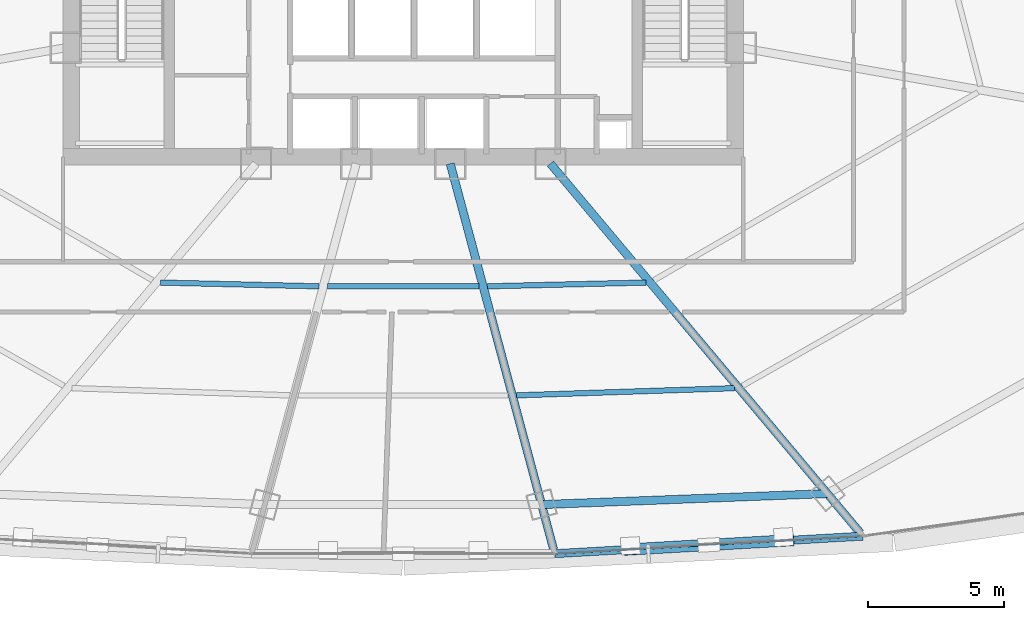
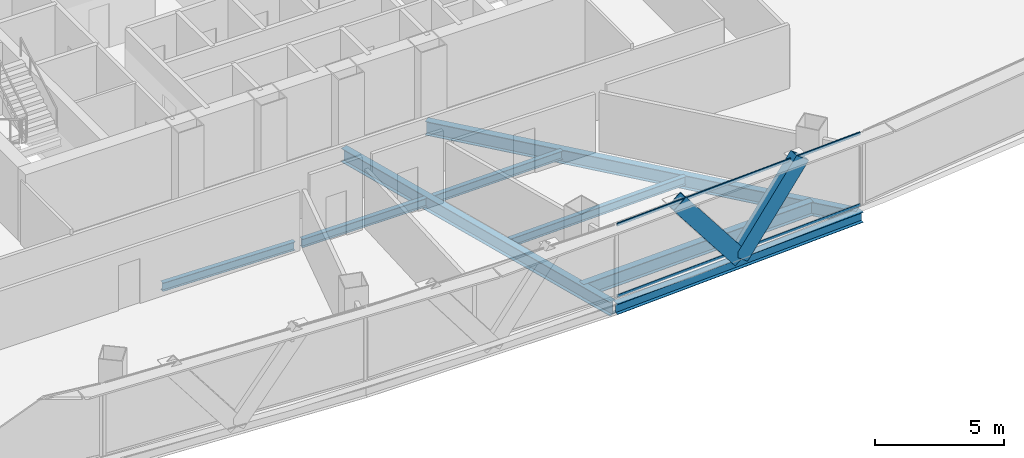
# One storey, part 13 of 42: 8 beams, 4 members, 1 element without a shape of its own.
"""IFC4 building model written with IfcOpenShell, lengths in metres."""

from ifc_helpers import new_model, si_unit, direction, frame, origin, origin_2d, place, context, subcontext, project, spatial, hollow_rectangle, i_section, extrude, source, transform, mapped, material, layer, layer_set, material_profile, profile_set, type_object, element, aggregate, save


model = new_model("IFC4")

# Units and contexts
model_context = context("Model", 3, precision=1e-05, world=origin(), true_north=direction((0.0, 1.0)))
body_context = subcontext(model_context, "Body", "Model", "MODEL_VIEW")
ifc_project = project(units=[si_unit("LENGTHUNIT", "METRE"), si_unit("AREAUNIT", "SQUARE_METRE"), si_unit("VOLUMEUNIT", "CUBIC_METRE"), si_unit("PLANEANGLEUNIT", "RADIAN"), si_unit("MASSUNIT", "GRAM", prefix="KILO"), si_unit("THERMODYNAMICTEMPERATUREUNIT", "KELVIN"), si_unit("POWERUNIT", "WATT")], contexts=[model_context])

# Site, building, storey
site_placement = place(None, origin())
site = spatial("IfcSite", under=ifc_project, at=site_placement, CompositionType="ELEMENT")
building_placement = place(site_placement, origin())
building = spatial("IfcBuilding", under=site, at=building_placement, Name="Yunzhuo Pagoda Commons", CompositionType="ELEMENT")
storey_placement = place(building_placement, frame((0.0, 0.0, 137.18994140625)))
storey = spatial("IfcBuildingStorey", under=building, at=storey_placement, Name="L34", CompositionType="ELEMENT", Elevation=137.18994140625)

# Beams
ifc_material_1 = material(Name="Structural steel Q355B", Category="steel")
ifc_material_profile_1 = material_profile(ifc_material_1, i_section(OverallWidth=0.300048828125, OverallDepth=0.488037109375, WebThickness=0.010986328125, FlangeThickness=0.01806640625, at=origin_2d()), Name="Structural steel Q355B")
ifc_profile_set_1 = profile_set([ifc_material_profile_1], Name="Structural steel Q355B")
beam_type_1 = type_object("IfcBeamType", Name="B-SP1 Beam HM 488x300x11x18", PredefinedType="BEAM", material=ifc_profile_set_1)
shared_shape_1 = source(origin(), body_context, "Body", "SweptSolid", [
    extrude(i_section(OverallWidth=0.300048828125, OverallDepth=0.488037109375, WebThickness=0.010986328125, FlangeThickness=0.01806640625, at=origin_2d()), origin(), (0.0, 0.0, 1.0), 11.34765625),
])
beam_1_placement = place(storey_placement, frame((53.56884765625, 12.917724609375, -0.50390625), z_axis=(0.998390534012, 0.056712799217, 0.0), x_axis=(-0.056712799217, 0.998390534012, 0.0)))
element("IfcBeam", 1, at=beam_1_placement, inside=storey, type_object=beam_type_1, Name="L34 facade edge spandrel beam F1.3", PredefinedType="BEAM", context=body_context, shape_type="MappedRepresentation", body=[
    mapped(shared_shape_1, transform((0.0, 0.0, 0.0), scale=1.0)),
])
ifc_material_profile_2 = material_profile(ifc_material_1, i_section(OverallWidth=0.300048828125, OverallDepth=0.64990234375, WebThickness=0.012939453125, FlangeThickness=0.02197265625, at=origin_2d()), Name="Structural steel Q355B")
ifc_profile_set_2 = profile_set([ifc_material_profile_2], Name="Structural steel Q355B")
beam_type_2 = type_object("IfcBeamType", Name="B-RG2 Beam HN 650x300x13x22", PredefinedType="BEAM", material=ifc_profile_set_2)
shared_shape_2 = source(origin(), body_context, "Body", "SweptSolid", [
    extrude(i_section(OverallWidth=0.300048828125, OverallDepth=0.64990234375, WebThickness=0.012939453125, FlangeThickness=0.02197265625, at=origin_2d()), origin(), (0.0, 0.0, 1.0), 17.714111328125),
])
beam_2_placement = place(storey_placement, frame((64.798583984375, 13.68017578125, -0.584716796875), z_axis=(-0.6427889385, 0.76604332811, 0.0), x_axis=(-0.76604332811, -0.6427889385, 0.0)))
element("IfcBeam", 2, at=beam_2_placement, inside=storey, type_object=beam_type_2, Name="L34 radial floor girder F1C4", PredefinedType="BEAM", context=body_context, shape_type="MappedRepresentation", body=[
    mapped(shared_shape_2, transform((0.0, 0.0, 0.0), scale=1.0)),
])
shared_shape_3 = source(origin(), body_context, "Body", "SweptSolid", [
    extrude(i_section(OverallWidth=0.300048828125, OverallDepth=0.64990234375, WebThickness=0.012939453125, FlangeThickness=0.02197265625, at=origin_2d()), origin(), (0.0, 0.0, 1.0), 14.68310546875),
])
beam_3_placement = place(storey_placement, frame((53.52880859375, 13.067138671875, -0.584716796875), z_axis=(-0.258819472716, 0.96592571171, 0.0), x_axis=(-0.96592571171, -0.258819472716, 0.0)))
element("IfcBeam", 3, at=beam_3_placement, inside=storey, type_object=beam_type_2, Name="L34 radial floor girder F1C3", PredefinedType="BEAM", context=body_context, shape_type="MappedRepresentation", body=[
    mapped(shared_shape_3, transform((0.0, 0.0, 0.0), scale=1.0)),
])
shared_shape_4 = source(origin(), body_context, "Body", "SweptSolid", [
    extrude(i_section(OverallWidth=0.300048828125, OverallDepth=0.64990234375, WebThickness=0.012939453125, FlangeThickness=0.02197265625, at=origin_2d()), origin(), (0.0, 0.0, 1.0), 10.5078125),
])
beam_4_placement = place(storey_placement, frame((53.085205078125, 14.7216796875, -0.584716796875), z_axis=(0.999258632812, 0.03849915259, 0.0), x_axis=(-0.03849915259, 0.999258632812, 0.0)))
element("IfcBeam", 4, at=beam_4_placement, inside=storey, type_object=beam_type_2, Name="L34 column-ring beam 3", PredefinedType="BEAM", context=body_context, shape_type="MappedRepresentation", body=[
    mapped(shared_shape_4, transform((0.0, 0.0, 0.0), scale=1.0)),
])
ifc_material_profile_3 = material_profile(ifc_material_1, i_section(OverallWidth=0.199951171875, OverallDepth=0.39990234375, WebThickness=0.008056640625, FlangeThickness=0.012939453125, at=origin_2d()), Name="Structural steel Q355B")
ifc_profile_set_3 = profile_set([ifc_material_profile_3], Name="Structural steel Q355B")
beam_type_3 = type_object("IfcBeamType", Name="B-JS1 Joist HN 400x200x8x13", PredefinedType="JOIST", material=ifc_profile_set_3)
shared_shape_5 = source(origin(), body_context, "Body", "SweptSolid", [
    extrude(i_section(OverallWidth=0.199951171875, OverallDepth=0.39990234375, WebThickness=0.008056640625, FlangeThickness=0.012939453125, at=origin_2d()), origin(), (0.0, 0.0, 1.0), 5.821533203125),
])
for number, where, z_axis, x_axis, name in (
    (5, (39.08447265625, 22.881591796875, -0.459716796875), (0.999718239795, -0.023736912649, 0.0), (0.023736912649, 0.999718239795, 0.0), "L34 composite ring joist 1.1"),
    (6, (51.095703125, 22.743408203125, -0.459716796875), (0.999718239795, 0.023736912649, 0.0), (-0.023736912649, 0.999718239795, 0.0), "L34 composite ring joist 1.3"),
):
    element("IfcBeam", number, at=place(storey_placement, frame(where, z_axis=z_axis, x_axis=x_axis)), inside=storey, type_object=beam_type_3, Name=name, PredefinedType="JOIST", context=body_context, shape_type="MappedRepresentation", body=[
        mapped(shared_shape_5, transform((0.0, 0.0, 0.0), scale=1.0)),
    ])
shared_shape_6 = source(origin(), body_context, "Body", "SweptSolid", [
    extrude(i_section(OverallWidth=0.199951171875, OverallDepth=0.39990234375, WebThickness=0.008056640625, FlangeThickness=0.012939453125, at=origin_2d()), origin(), (0.0, 0.0, 1.0), 8.00537109375),
])
beam_5_placement = place(storey_placement, frame((52.169921875, 18.73583984375, -0.459716796875), z_axis=(0.999453403952, 0.033058937199, 0.0), x_axis=(-0.033058937199, 0.999453403952, 0.0)))
element("IfcBeam", 7, at=beam_5_placement, inside=storey, type_object=beam_type_3, Name="L34 composite ring joist 2.3", PredefinedType="JOIST", context=body_context, shape_type="MappedRepresentation", body=[
    mapped(shared_shape_6, transform((0.0, 0.0, 0.0), scale=1.0)),
])
shared_shape_7 = source(origin(), body_context, "Body", "SweptSolid", [
    extrude(i_section(OverallWidth=0.199951171875, OverallDepth=0.39990234375, WebThickness=0.008056640625, FlangeThickness=0.012939453125, at=origin_2d()), origin(), (0.0, 0.0, 1.0), 5.5556640625),
])
beam_6_placement = place(storey_placement, frame((45.22216796875, 22.73974609375, -0.459716796875), z_axis=(1.0, 0.0, 0.0), x_axis=(0.0, 1.0, 0.0)))
element("IfcBeam", 8, at=beam_6_placement, inside=storey, type_object=beam_type_3, Name="L34 composite ring joist 1.2", PredefinedType="JOIST", context=body_context, shape_type="MappedRepresentation", body=[
    mapped(shared_shape_7, transform((0.0, 0.0, 0.0), scale=1.0)),
])

# Members
ifc_material_2 = material(Name="Structural steel Q420B", Category="steel")
ifc_material_profile_4 = material_profile(ifc_material_2, hollow_rectangle(XDim=0.419921875, YDim=0.719970703125, WallThickness=0.028076171875, at=origin_2d()), Name="Structural steel Q420B")
ifc_profile_set_4 = profile_set([ifc_material_profile_4], Name="Structural steel Q420B")
member_type_1 = type_object("IfcMemberType", Name="M-DL1 Brace BOX 720x420x28", PredefinedType="BRACE", material=ifc_profile_set_4)
shared_shape_8 = source(origin(), body_context, "Body", "SweptSolid", [
    extrude(hollow_rectangle(XDim=0.419921875, YDim=0.719970703125, WallThickness=0.028076171875, at=origin_2d()), origin(), (0.0, 0.0, 1.0), 4.646728515625),
])
for number, where, z_axis, x_axis, name in (
    (9, (59.2333984375, 13.239501953125, -0.260009765625), (-0.609530512733, -0.034624653727, 0.79200611576), (0.056714017439, -0.998390464811, 0.0), "L34 facade diamond brace F1.3L"),
    (10, (59.2333984375, 13.239501953125, -0.260009765625), (0.609563531852, 0.034623544862, 0.79198075152), (-0.056709144864, 0.998390741588, 0.0), "L34 facade diamond brace F1.3R"),
):
    element("IfcMember", number, at=place(storey_placement, frame(where, z_axis=z_axis, x_axis=x_axis)), inside=storey, type_object=member_type_1, Name=name, PredefinedType="BRACE", context=body_context, shape_type="MappedRepresentation", body=[
        mapped(shared_shape_8, transform((0.0, 0.0, 0.0), scale=1.0)),
    ])

# Curtain wall, members
ifc_material_3 = material(Name="Anodized aluminium 6063-T6", Category="aluminium")
ifc_layer = layer(ifc_material_3, 0.14990234375)
ifc_layer_set = layer_set([ifc_layer], Name="Anodized aluminium 6063-T6")
curtain_wall_type = type_object("IfcCurtainWallType", Name="CW-MID Mid-Zone Ribbon Curtain Wall", PredefinedType="NOTDEFINED", material=ifc_layer_set)
curtain_wall_placement = place(storey_placement, origin())
curtain_wall = element("IfcCurtainWall", 11, at=curtain_wall_placement, inside=storey, type_object=curtain_wall_type, Name="L34 curtain wall CW-L34-F1B4", PredefinedType="NOTDEFINED")
ifc_material_profile_5 = material_profile(ifc_material_3, hollow_rectangle(XDim=0.054931640625, YDim=0.1298828125, WallThickness=0.00341796875, at=origin_2d()), Name="Anodized aluminium 6063-T6")
ifc_profile_set_5 = profile_set([ifc_material_profile_5], Name="Anodized aluminium 6063-T6")
member_type_2 = type_object("IfcMemberType", Name="CW-MID-T Transom RHS 130x55x3.5", PredefinedType="USERDEFINED", material=ifc_profile_set_5)
shared_shape_9 = source(origin(), body_context, "Body", "SweptSolid", [
    extrude(hollow_rectangle(XDim=0.054931640625, YDim=0.1298828125, WallThickness=0.00341796875, at=origin_2d()), origin(), (0.0, 0.0, 1.0), 11.227783203125),
])
member_1_placement = place(storey_placement, frame((53.628662109375, 12.9208984375, 0.027587890625), z_axis=(0.998387042838, 0.056774225609, 0.0), x_axis=(-0.056774225609, 0.998387042838, 0.0)))
member_1 = element("IfcMember", 12, at=member_1_placement, type_object=member_type_2, Name="CW transom 1.1", ObjectType="TRANSOM", PredefinedType="USERDEFINED", context=body_context, shape_type="MappedRepresentation", body=[
    mapped(shared_shape_9, transform((0.0, 0.0, 0.0), scale=1.0)),
])
member_2_placement = place(storey_placement, frame((53.628662109375, 12.9208984375, 3.392822265625), z_axis=(0.998387042838, 0.056774225609, 0.0), x_axis=(-0.056774225609, 0.998387042838, 0.0)))
member_2 = element("IfcMember", 13, at=member_2_placement, type_object=member_type_2, Name="CW transom 1.2", ObjectType="TRANSOM", PredefinedType="USERDEFINED", context=body_context, shape_type="MappedRepresentation", body=[
    mapped(shared_shape_9, transform((0.0, 0.0, 0.0), scale=1.0)),
])
aggregate(curtain_wall, [member_1, member_2])

save(model, "model.ifc")
